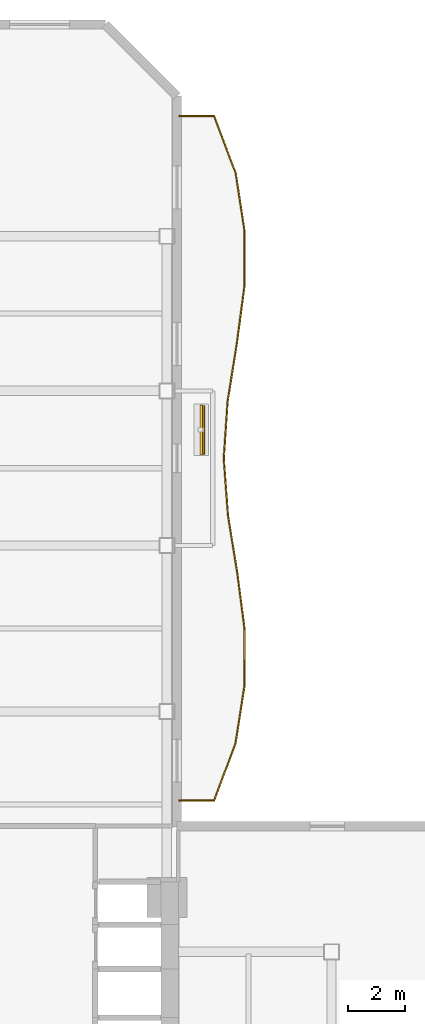
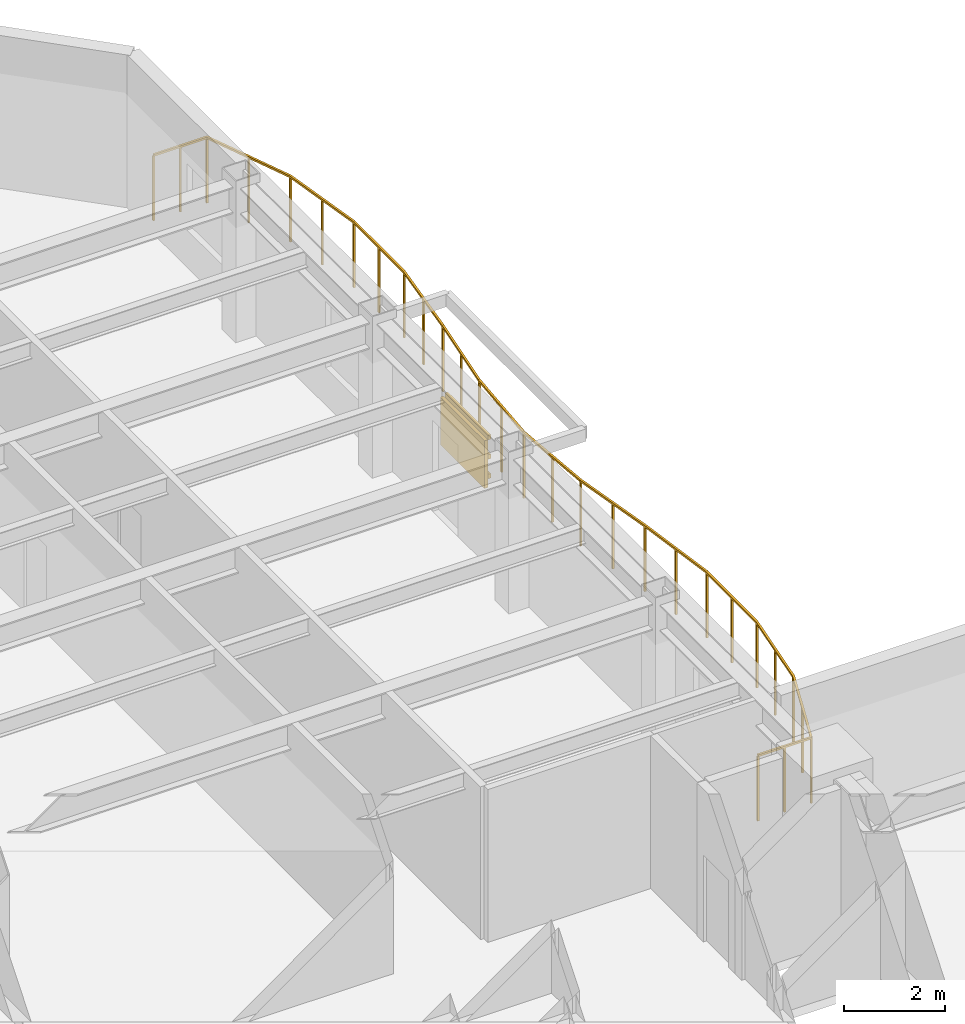
# One storey, part 10 of 10: 4 shading devices, 1 railing.
"""IFC4 building model written with IfcOpenShell, lengths in metres."""

from ifc_helpers import new_model, si_unit, direction, frame, origin, origin_2d, place, context, subcontext, project, spatial, rectangle, extrude, material, layer, layer_set, material_profile, profile_set, type_object, element, save


model = new_model("IFC4")

# Units and contexts
model_context = context("Model", 3, precision=1e-05, world=origin(), true_north=direction((0.0, 1.0)))
body_context = subcontext(model_context, "Body", "Model", "MODEL_VIEW")
ifc_project = project(units=[si_unit("LENGTHUNIT", "METRE"), si_unit("AREAUNIT", "SQUARE_METRE"), si_unit("VOLUMEUNIT", "CUBIC_METRE"), si_unit("PLANEANGLEUNIT", "RADIAN"), si_unit("MASSUNIT", "GRAM", prefix="KILO")], contexts=[model_context])

# Site, building, storey
site_placement = place(None, origin())
site = spatial("IfcSite", under=ifc_project, at=site_placement, CompositionType="ELEMENT")
building_placement = place(site_placement, origin())
building = spatial("IfcBuilding", under=site, at=building_placement, Name="Mawjaban Terraces University", CompositionType="ELEMENT")
storey_placement = place(building_placement, frame((0.0, 0.0, 73.89990234375)))
storey = spatial("IfcBuildingStorey", under=building, at=storey_placement, Name="L17", CompositionType="ELEMENT", Elevation=73.89990234375)

# Railing
ifc_material_1 = material(Name="Galvanised powder-coated steel S355", Category="steel")
railing_type = type_object("IfcRailingType", Name="BalconyBalustrade_1600", PredefinedType="BALUSTRADE", material=ifc_material_1)
railing_placement = place(storey_placement, frame((38.080078125, 26.889892578125, 0.0)))
element("IfcRailing", 1, at=railing_placement, inside=storey, type_object=railing_type, Name="L17 Balcony Guardrail inner_east", PredefinedType="BALUSTRADE", context=body_context, shape_type="SweptSolid", body=[
    extrude(rectangle(XDim=0.048095703125, YDim=0.048095703125, at=origin_2d()), frame((0.0, 0.0, 1.576171875), z_axis=(1.0, 0.0, 0.0), x_axis=(0.0, 1.0, 0.0)), (0.0, 0.0, 1.0), 1.219970703125),
    extrude(rectangle(XDim=0.048095703125, YDim=0.048095703125, at=origin_2d()), frame((1.219970703125, 0.0, 1.576171875), z_axis=(0.35137477897, 0.93623488757, 0.0), x_axis=(-0.93623488757, 0.35137477897, 0.0)), (0.0, 0.0, 1.0), 2.12890625),
    extrude(rectangle(XDim=0.048095703125, YDim=0.048095703125, at=origin_2d()), frame((1.968017578125, 1.9931640625, 1.576171875), z_axis=(0.154158921555, 0.988046065174, 0.0), x_axis=(-0.988046065174, 0.154158921555, 0.0)), (0.0, 0.0, 1.0), 2.01611328125),
    extrude(rectangle(XDim=0.048095703125, YDim=0.048095703125, at=origin_2d()), frame((2.27880859375, 3.985107421875, 1.576171875), z_axis=(0.004044580228, 0.999991820652, 0.0), x_axis=(-0.999991820652, 0.004044580228, 0.0)), (0.0, 0.0, 1.0), 1.991943359375),
    extrude(rectangle(XDim=0.048095703125, YDim=0.048095703125, at=origin_2d()), frame((2.286865234375, 5.97705078125, 1.576171875), z_axis=(-0.128877006541, 0.991660585677, 0.0), x_axis=(-0.991660585677, -0.128877006541, 0.0)), (0.0, 0.0, 1.0), 2.010009765625),
    extrude(rectangle(XDim=0.048095703125, YDim=0.048095703125, at=origin_2d()), frame((2.02783203125, 7.97021484375, 1.576171875), z_axis=(-0.160061600393, 0.987107027672, 0.0), x_axis=(-0.987107027672, -0.160061600393, 0.0)), (0.0, 0.0, 1.0), 2.01806640625),
    extrude(rectangle(XDim=0.048095703125, YDim=0.048095703125, at=origin_2d()), frame((1.704833984375, 9.962158203125, 1.576171875), z_axis=(-0.07354766693, 0.997291702908, 0.0), x_axis=(-0.997291702908, -0.07354766693, 0.0)), (0.0, 0.0, 1.0), 1.998291015625),
    extrude(rectangle(XDim=0.048095703125, YDim=0.048095703125, at=origin_2d()), frame((1.557861328125, 11.955078125, 1.576171875), z_axis=(0.067622767658, 0.997710960797, 0.0), x_axis=(-0.997710960797, 0.067622767658, 0.0)), (0.0, 0.0, 1.0), 1.99658203125),
    extrude(rectangle(XDim=0.048095703125, YDim=0.048095703125, at=origin_2d()), frame((1.69287109375, 13.947021484375, 1.576171875), z_axis=(0.157608367443, 0.987501697473, 0.0), x_axis=(-0.987501697473, 0.157608367443, 0.0)), (0.0, 0.0, 1.0), 2.018310546875),
    extrude(rectangle(XDim=0.048095703125, YDim=0.048095703125, at=origin_2d()), frame((2.010986328125, 15.940185546875, 1.576171875), z_axis=(0.131821511603, 0.991273468362, 0.0), x_axis=(-0.991273468362, 0.131821511603, 0.0)), (0.0, 0.0, 1.0), 2.009521484375),
    extrude(rectangle(XDim=0.048095703125, YDim=0.048095703125, at=origin_2d()), frame((2.27587890625, 17.93212890625, 1.576171875), z_axis=(0.001470046188, 0.999998919482, 0.0), x_axis=(-0.999998919482, 0.001470046188, 0.0)), (0.0, 0.0, 1.0), 1.992919921875),
    extrude(rectangle(XDim=0.048095703125, YDim=0.048095703125, at=origin_2d()), frame((2.27880859375, 19.925048828125, 1.576171875), z_axis=(-0.150372484534, 0.988629412821, 0.0), x_axis=(-0.988629412821, -0.150372484534, 0.0)), (0.0, 0.0, 1.0), 2.014892578125),
    extrude(rectangle(XDim=0.048095703125, YDim=0.048095703125, at=origin_2d()), frame((1.975830078125, 21.9169921875, 1.576171875), z_axis=(-0.354585181743, 0.935023715682, 0.0), x_axis=(-0.935023715682, -0.354585181743, 0.0)), (0.0, 0.0, 1.0), 2.131591796875),
    extrude(rectangle(XDim=0.048095703125, YDim=0.048095703125, at=origin_2d()), frame((1.219970703125, 23.91015625, 1.576171875), z_axis=(-1.0, 0.0, 0.0), x_axis=(0.0, -1.0, 0.0)), (0.0, 0.0, 1.0), 1.219970703125),
    extrude(rectangle(XDim=0.0419921875, YDim=0.0419921875, at=origin_2d()), origin(), (0.0, 0.0, 1.0), 1.552001953125),
    extrude(rectangle(XDim=0.0419921875, YDim=0.0419921875, at=origin_2d()), frame((0.60986328125, 0.0, 0.0)), (0.0, 0.0, 1.0), 1.552001953125),
    extrude(rectangle(XDim=0.0419921875, YDim=0.0419921875, at=origin_2d()), frame((1.219970703125, 0.0, 0.0)), (0.0, 0.0, 1.0), 1.552001953125),
    extrude(rectangle(XDim=0.0419921875, YDim=0.0419921875, at=origin_2d()), frame((1.593994140625, 0.99658203125, 0.0)), (0.0, 0.0, 1.0), 1.552001953125),
    extrude(rectangle(XDim=0.0419921875, YDim=0.0419921875, at=origin_2d()), frame((1.968017578125, 1.9931640625, 0.0)), (0.0, 0.0, 1.0), 1.552001953125),
    extrude(rectangle(XDim=0.0419921875, YDim=0.0419921875, at=origin_2d()), frame((2.12353515625, 2.9892578125, 0.0)), (0.0, 0.0, 1.0), 1.552001953125),
    extrude(rectangle(XDim=0.0419921875, YDim=0.0419921875, at=origin_2d()), frame((2.27880859375, 3.985107421875, 0.0)), (0.0, 0.0, 1.0), 1.552001953125),
    extrude(rectangle(XDim=0.0419921875, YDim=0.0419921875, at=origin_2d()), frame((2.28271484375, 4.98095703125, 0.0)), (0.0, 0.0, 1.0), 1.552001953125),
    extrude(rectangle(XDim=0.0419921875, YDim=0.0419921875, at=origin_2d()), frame((2.286865234375, 5.97705078125, 0.0)), (0.0, 0.0, 1.0), 1.552001953125),
    extrude(rectangle(XDim=0.0419921875, YDim=0.0419921875, at=origin_2d()), frame((2.1572265625, 6.9736328125, 0.0)), (0.0, 0.0, 1.0), 1.552001953125),
    extrude(rectangle(XDim=0.0419921875, YDim=0.0419921875, at=origin_2d()), frame((2.02783203125, 7.97021484375, 0.0)), (0.0, 0.0, 1.0), 1.552001953125),
    extrude(rectangle(XDim=0.0419921875, YDim=0.0419921875, at=origin_2d()), frame((1.8662109375, 8.96630859375, 0.0)), (0.0, 0.0, 1.0), 1.552001953125),
    extrude(rectangle(XDim=0.0419921875, YDim=0.0419921875, at=origin_2d()), frame((1.704833984375, 9.962158203125, 0.0)), (0.0, 0.0, 1.0), 1.552001953125),
    extrude(rectangle(XDim=0.0419921875, YDim=0.0419921875, at=origin_2d()), frame((1.63134765625, 10.95849609375, 0.0)), (0.0, 0.0, 1.0), 1.552001953125),
    extrude(rectangle(XDim=0.0419921875, YDim=0.0419921875, at=origin_2d()), frame((1.557861328125, 11.955078125, 0.0)), (0.0, 0.0, 1.0), 1.552001953125),
    extrude(rectangle(XDim=0.0419921875, YDim=0.0419921875, at=origin_2d()), frame((1.62548828125, 12.951171875, 0.0)), (0.0, 0.0, 1.0), 1.552001953125),
    extrude(rectangle(XDim=0.0419921875, YDim=0.0419921875, at=origin_2d()), frame((1.69287109375, 13.947021484375, 0.0)), (0.0, 0.0, 1.0), 1.552001953125),
    extrude(rectangle(XDim=0.0419921875, YDim=0.0419921875, at=origin_2d()), frame((1.85205078125, 14.943603515625, 0.0)), (0.0, 0.0, 1.0), 1.552001953125),
    extrude(rectangle(XDim=0.0419921875, YDim=0.0419921875, at=origin_2d()), frame((2.010986328125, 15.940185546875, 0.0)), (0.0, 0.0, 1.0), 1.552001953125),
    extrude(rectangle(XDim=0.0419921875, YDim=0.0419921875, at=origin_2d()), frame((2.1435546875, 16.93603515625, 0.0)), (0.0, 0.0, 1.0), 1.552001953125),
    extrude(rectangle(XDim=0.0419921875, YDim=0.0419921875, at=origin_2d()), frame((2.27587890625, 17.93212890625, 0.0)), (0.0, 0.0, 1.0), 1.552001953125),
    extrude(rectangle(XDim=0.0419921875, YDim=0.0419921875, at=origin_2d()), frame((2.27734375, 18.9287109375, 0.0)), (0.0, 0.0, 1.0), 1.552001953125),
    extrude(rectangle(XDim=0.0419921875, YDim=0.0419921875, at=origin_2d()), frame((2.27880859375, 19.925048828125, 0.0)), (0.0, 0.0, 1.0), 1.552001953125),
    extrude(rectangle(XDim=0.0419921875, YDim=0.0419921875, at=origin_2d()), frame((2.12744140625, 20.9208984375, 0.0)), (0.0, 0.0, 1.0), 1.552001953125),
    extrude(rectangle(XDim=0.0419921875, YDim=0.0419921875, at=origin_2d()), frame((1.975830078125, 21.9169921875, 0.0)), (0.0, 0.0, 1.0), 1.552001953125),
    extrude(rectangle(XDim=0.0419921875, YDim=0.0419921875, at=origin_2d()), frame((1.597900390625, 22.91357421875, 0.0)), (0.0, 0.0, 1.0), 1.552001953125),
    extrude(rectangle(XDim=0.0419921875, YDim=0.0419921875, at=origin_2d()), frame((1.219970703125, 23.91015625, 0.0)), (0.0, 0.0, 1.0), 1.552001953125),
    extrude(rectangle(XDim=0.0419921875, YDim=0.0419921875, at=origin_2d()), frame((0.60986328125, 23.91015625, 0.0)), (0.0, 0.0, 1.0), 1.552001953125),
    extrude(rectangle(XDim=0.0419921875, YDim=0.0419921875, at=origin_2d()), frame((0.0, 23.91015625, 0.0)), (0.0, 0.0, 1.0), 1.552001953125),
])

# Shading devices
ifc_material_2 = material(Name="Glazed architectural terracotta ceramic", Category="masonry")
ifc_material_profile = material_profile(ifc_material_2, rectangle(XDim=0.06494140625, YDim=0.110107421875, at=origin_2d()), Name="TBAG110X65")
ifc_profile_set = profile_set([ifc_material_profile], Name="Glazed architectural terracotta ceramic")
shading_device_type_1 = type_object("IfcShadingDeviceType", Name="TerracottaBaguette_110x65", PredefinedType="USERDEFINED", material=ifc_profile_set)
for number, where, z_axis, x_axis, name in (
    (2, (38.93310546875, 38.990966796875, 0.68017578125), (0.0, 1.0, 0.0), (-1.0, 0.0, 0.0), "L17 Horizontal Terracotta Baguette inner_east.1"),
    (3, (38.93310546875, 38.990966796875, 1.150146484375), (0.0, 1.0, 0.0), (-1.0, 0.0, 0.0), "L17 Horizontal Terracotta Baguette inner_east.2"),
    (4, (38.93310546875, 38.990966796875, 1.6201171875), (0.0, 1.0, 0.0), (-1.0, 0.0, 0.0), "L17 Horizontal Terracotta Baguette inner_east.3"),
):
    element("IfcShadingDevice", number, at=place(storey_placement, frame(where, z_axis=z_axis, x_axis=x_axis)), inside=storey, type_object=shading_device_type_1, Name=name, ObjectType="BAGUETTE", PredefinedType="USERDEFINED", context=body_context, shape_type="SweptSolid", body=[
        extrude(rectangle(XDim=0.06494140625, YDim=0.110107421875, at=origin_2d()), origin(), (0.0, 0.0, 1.0), 1.699951171875),
    ])
ifc_layer = layer(ifc_material_2, 0.080078125)
ifc_layer_set = layer_set([ifc_layer], Name="Glazed architectural terracotta ceramic")
shading_device_type_2 = type_object("IfcShadingDeviceType", Name="TerracottaScreen_Perforated", PredefinedType="USERDEFINED", material=ifc_layer_set)
shading_device_placement = place(storey_placement, frame((38.847900390625, 39.841064453125, 0.440185546875), z_axis=(0.0, 0.0, 1.0), x_axis=(0.0, 1.0, 0.0)))
element("IfcShadingDevice", 5, at=shading_device_placement, inside=storey, type_object=shading_device_type_2, Name="L17 Balcony Perforated Terracotta Screen inner_east", ObjectType="SCREEN", PredefinedType="USERDEFINED", context=body_context, shape_type="SweptSolid", body=[
    extrude(rectangle(XDim=1.75, YDim=0.080078125, at=origin_2d()), origin(), (0.0, 0.0, 1.0), 1.14990234375),
])

save(model, "model.ifc")
